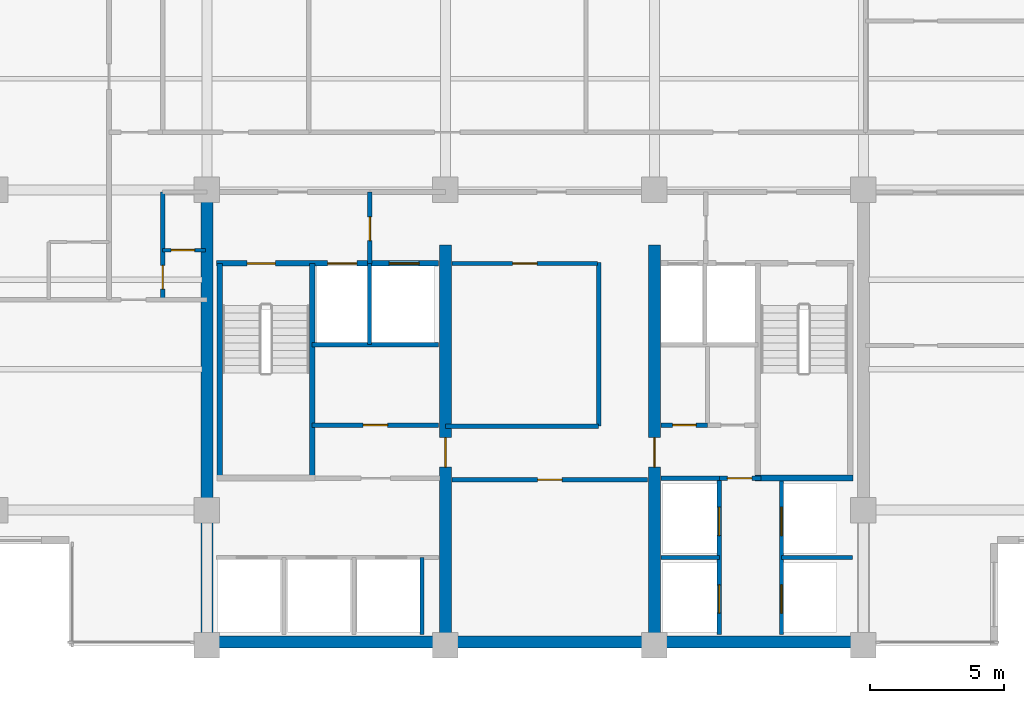
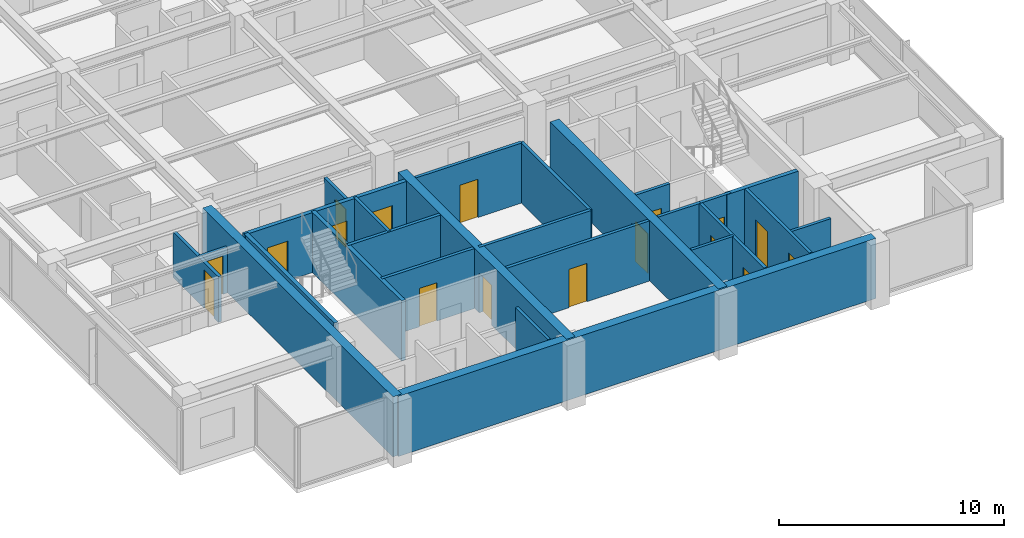
# One storey, part 7 of 15: 26 walls, 17 doors, 17 openings.
"""IFC4 building model written with IfcOpenShell, lengths in metres."""

from ifc_helpers import new_model, si_unit, direction, frame, frame_2d, origin, place, context, subcontext, project, spatial, rectangle, extrude, material, layer, layer_set, type_object, element, fill, save


model = new_model("IFC4")

# Units and contexts
model_context = context("Model", 3, precision=1e-05, world=origin(), true_north=direction((0.0, 1.0)))
body_context = subcontext(model_context, "Body", "Model", "MODEL_VIEW")
ifc_project = project(units=[si_unit("LENGTHUNIT", "METRE"), si_unit("AREAUNIT", "SQUARE_METRE"), si_unit("VOLUMEUNIT", "CUBIC_METRE"), si_unit("PLANEANGLEUNIT", "RADIAN"), si_unit("MASSUNIT", "GRAM", prefix="KILO")], contexts=[model_context])

# Site, building, storey
site_placement = place(None, origin())
site = spatial("IfcSite", under=ifc_project, at=site_placement, CompositionType="ELEMENT")
building_placement = place(site_placement, origin())
building = spatial("IfcBuilding", under=site, at=building_placement, Name="Qalmaran Belvedere Hotel", CompositionType="ELEMENT")
storey_placement = place(building_placement, frame((0.0, 0.0, 231.89990234375)))
storey = spatial("IfcBuildingStorey", under=building, at=storey_placement, Name="L59", CompositionType="ELEMENT", Elevation=231.89990234375)

# Wall
ifc_material_1 = material(Name="Concrete C50/60", Category="concrete")
ifc_layer_1 = layer(ifc_material_1, 0.449951171875, Name="Concrete C50/60")
ifc_layer_set_1 = layer_set([ifc_layer_1], Name="Concrete C50/60")
wall_type_1 = type_object("IfcWallType", Name="WL-CORE-450-C50", PredefinedType="SHEAR", material=ifc_layer_set_1)
wall_1_placement = place(storey_placement, frame((20.300048828125, 3.5, 0.0), z_axis=(0.0, 0.0, 1.0), x_axis=(0.0, 1.0, 0.0)))
element("IfcWall", 1, at=wall_1_placement, inside=storey, type_object=wall_type_1, Name="L59 West Core Shear Wall", PredefinedType="SHEAR", context=body_context, shape_type="SweptSolid", body=[
    extrude(rectangle(XDim=16.89990234375, YDim=0.449951171875, at=frame_2d((8.449951171875, 0.0))), origin(), (0.0, 0.0, 1.0), 3.260009765625),
])

# Wall, opening, door
wall_2_placement = place(storey_placement, frame((29.199951171875, 3.5, 0.0), z_axis=(0.0, 0.0, 1.0), x_axis=(0.0, 1.0, 0.0)))
wall_2 = element("IfcWall", 2, at=wall_2_placement, inside=storey, type_object=wall_type_1, Name="L59 Core West Spine Shear Wall", PredefinedType="SHEAR", context=body_context, shape_type="SweptSolid", body=[
    extrude(rectangle(XDim=14.949951171875, YDim=0.449951171875, at=frame_2d((7.47509765625, 0.0))), origin(), (0.0, 0.0, 1.0), 3.260009765625),
])
opening_1_placement = place(wall_2_placement, frame((7.75, 0.0, 0.0), z_axis=(0.0, 0.0, 1.0), x_axis=(-1.0, 0.0, 0.0)))
opening_1 = element("IfcOpeningElement", 3, at=opening_1_placement, cuts=wall_2, Name="Opening FD90", PredefinedType="OPENING", context=body_context, shape_type="SweptSolid", body=[
    extrude(rectangle(XDim=1.10009765625, YDim=2.14990234375, at=frame_2d((0.550048828125, 1.074951171875))), frame((0.0, 0.23486328125, 0.0), z_axis=(0.0, -1.0, 0.0), x_axis=(1.0, 0.0, 0.0)), (0.0, 0.0, 1.0), 0.469970703125),
])
ifc_material_2 = material(Name="Steel S355JR", Category="steel")
door_type_1 = type_object("IfcDoorType", Name="DR-FD90-1100X2150", OperationType="NOTDEFINED", PredefinedType="DOOR", material=ifc_material_2)
door_1_placement = place(opening_1_placement, origin())
door_1 = element("IfcDoor", 4, at=door_1_placement, inside=storey, type_object=door_type_1, Name="L59 Core West Cross-Lobby Door", OperationType="SINGLE_SWING_RIGHT", OverallHeight=2.14990234375, OverallWidth=1.10009765625, PredefinedType="DOOR", context=body_context, shape_type="SweptSolid", body=[
    extrude(rectangle(XDim=1.10009765625, YDim=2.14990234375, at=frame_2d((0.550048828125, 1.074951171875))), frame((0.0, 0.02490234375, 0.0), z_axis=(0.0, -1.0, 0.0), x_axis=(1.0, 0.0, 0.0)), (0.0, 0.0, 1.0), 0.050048828125),
])
fill(opening_1, door_1)

wall_3_placement = place(storey_placement, frame((37.0, 3.5, 0.0), z_axis=(0.0, 0.0, 1.0), x_axis=(0.0, 1.0, 0.0)))
wall_3 = element("IfcWall", 5, at=wall_3_placement, inside=storey, type_object=wall_type_1, Name="L59 Core East Spine Shear Wall", PredefinedType="SHEAR", context=body_context, shape_type="SweptSolid", body=[
    extrude(rectangle(XDim=14.949951171875, YDim=0.449951171875, at=frame_2d((7.47509765625, 0.0))), origin(), (0.0, 0.0, 1.0), 3.260009765625),
])
opening_2_placement = place(wall_3_placement, frame((6.64990234375, 0.0, 0.0)))
opening_2 = element("IfcOpeningElement", 6, at=opening_2_placement, cuts=wall_3, Name="Opening FD90", PredefinedType="OPENING", context=body_context, shape_type="SweptSolid", body=[
    extrude(rectangle(XDim=1.10009765625, YDim=2.14990234375, at=frame_2d((0.550048828125, 1.074951171875))), frame((0.0, 0.23486328125, 0.0), z_axis=(0.0, -1.0, 0.0), x_axis=(1.0, 0.0, 0.0)), (0.0, 0.0, 1.0), 0.469970703125),
])
door_2_placement = place(opening_2_placement, origin())
door_2 = element("IfcDoor", 7, at=door_2_placement, inside=storey, type_object=door_type_1, Name="L59 Core East Cross-Lobby Door", OperationType="SINGLE_SWING_LEFT", OverallHeight=2.14990234375, OverallWidth=1.10009765625, PredefinedType="DOOR", context=body_context, shape_type="SweptSolid", body=[
    extrude(rectangle(XDim=1.10009765625, YDim=2.14990234375, at=frame_2d((0.550048828125, 1.074951171875))), frame((0.0, 0.02490234375, 0.0), z_axis=(0.0, -1.0, 0.0), x_axis=(1.0, 0.0, 0.0)), (0.0, 0.0, 1.0), 0.050048828125),
])
fill(opening_2, door_2)

# Wall
ifc_layer_2 = layer(ifc_material_1, 0.43994140625, Name="Concrete C50/60")
ifc_layer_set_2 = layer_set([ifc_layer_2], Name="Concrete C50/60")
wall_type_2 = type_object("IfcWallType", Name="WL-CORES-440-EXT", PredefinedType="SHEAR", material=ifc_layer_set_2)
wall_4_placement = place(storey_placement, frame((20.300048828125, 3.6298828125, 0.0), z_axis=(0.0, 0.0, 1.0), x_axis=(1.0, 0.0, 0.0)))
element("IfcWall", 8, at=wall_4_placement, inside=storey, type_object=wall_type_2, Name="L59 South Core Shear Wall", PredefinedType="SHEAR", context=body_context, shape_type="SweptSolid", body=[
    extrude(rectangle(XDim=24.5, YDim=0.43994140625, at=frame_2d((12.25, 0.0))), origin(), (0.0, 0.0, 1.0), 3.260009765625),
])

# Wall, opening, door
ifc_material_3 = material(Name="Gypsum Stud Partition")
ifc_layer_3 = layer(ifc_material_3, 0.139892578125, Name="Gypsum Stud Partition")
ifc_layer_set_3 = layer_set([ifc_layer_3], Name="Gypsum Stud Partition")
wall_type_3 = type_object("IfcWallType", Name="WL-INT-140-NR", PredefinedType="PARTITIONING", material=ifc_layer_set_3)
wall_5_placement = place(storey_placement, frame((18.64990234375, 18.25, 0.0), z_axis=(0.0, 0.0, 1.0), x_axis=(1.0, 0.0, 0.0)))
wall_5 = element("IfcWall", 9, at=wall_5_placement, inside=storey, type_object=wall_type_3, Name="L59 Partition WL-L59-WCLSUB", PredefinedType="PARTITIONING", context=body_context, shape_type="SweptSolid", body=[
    extrude(rectangle(XDim=1.60009765625, YDim=0.139892578125, at=frame_2d((0.800048828125, 0.0))), origin(), (0.0, 0.0, 1.0), 2.47216796875),
])
opening_3_placement = place(wall_5_placement, frame((1.193115234375, 0.0, 0.0), z_axis=(0.0, 0.0, 1.0), x_axis=(-1.0, 0.0, 0.0)))
opening_3 = element("IfcOpeningElement", 10, at=opening_3_placement, cuts=wall_5, Name="Opening D-BATH", PredefinedType="OPENING", context=body_context, shape_type="SweptSolid", body=[
    extrude(rectangle(XDim=0.8798828125, YDim=2.080078125, at=frame_2d((0.43994140625, 1.0400390625))), frame((0.0, 0.080078125, 0.0), z_axis=(0.0, -1.0, 0.0), x_axis=(1.0, 0.0, 0.0)), (0.0, 0.0, 1.0), 0.159912109375),
])
ifc_material_4 = material(Name="Engineered Oak Veneer")
door_type_2 = type_object("IfcDoorType", Name="DR-INT-BATH-880X2080", OperationType="NOTDEFINED", PredefinedType="DOOR", material=ifc_material_4)
door_3_placement = place(opening_3_placement, origin())
door_3 = element("IfcDoor", 11, at=door_3_placement, inside=storey, type_object=door_type_2, Name="L59 Closet Alcove Door", OperationType="SINGLE_SWING_RIGHT", OverallHeight=2.080078125, OverallWidth=0.8798828125, PredefinedType="DOOR", context=body_context, shape_type="SweptSolid", body=[
    extrude(rectangle(XDim=0.8798828125, YDim=2.080078125, at=frame_2d((0.43994140625, 1.0400390625))), frame((0.0, 0.02490234375, 0.0), z_axis=(0.0, -1.0, 0.0), x_axis=(1.0, 0.0, 0.0)), (0.0, 0.0, 1.0), 0.050048828125),
])
fill(opening_3, door_3)

# Walls
ifc_layer_4 = layer(ifc_material_3, 0.14990234375, Name="Gypsum Stud Partition")
ifc_layer_set_4 = layer_set([ifc_layer_4], Name="Gypsum Stud Partition")
wall_type_4 = type_object("IfcWallType", Name="WL-INT-150-EI120", PredefinedType="PARTITIONING", material=ifc_layer_set_4)
wall_6_placement = place(storey_placement, frame((26.360107421875, 14.719970703125, 0.0), z_axis=(0.0, 0.0, 1.0), x_axis=(0.0, 1.0, 0.0)))
element("IfcWall", 12, at=wall_6_placement, inside=storey, type_object=wall_type_4, Name="L59 Partition WL-FF1M-L59", PredefinedType="PARTITIONING", context=body_context, shape_type="SweptSolid", body=[
    extrude(rectangle(XDim=3.0400390625, YDim=0.14990234375, at=frame_2d((1.52001953125, 0.0))), origin(), (0.0, 0.0, 1.0), 3.260009765625),
])
wall_7_placement = place(storey_placement, frame((28.320068359375, 3.89990234375, 0.0), z_axis=(0.0, 0.0, 1.0), x_axis=(0.0, 1.0, 0.0)))
element("IfcWall", 13, at=wall_7_placement, inside=storey, type_object=wall_type_4, Name="L59 Partition WL-POM3-L59", PredefinedType="PARTITIONING", context=body_context, shape_type="SweptSolid", body=[
    extrude(rectangle(XDim=2.880126953125, YDim=0.14990234375, at=frame_2d((1.43994140625, 0.0))), origin(), (0.0, 0.0, 1.0), 3.260009765625),
])
wall_8_placement = place(storey_placement, frame((37.25, 6.780029296875, 0.0), z_axis=(0.0, 0.0, 1.0), x_axis=(1.0, 0.0, 0.0)))
element("IfcWall", 14, at=wall_8_placement, inside=storey, type_object=wall_type_4, Name="L59 Partition WL-PHMW-L59", PredefinedType="PARTITIONING", context=body_context, shape_type="SweptSolid", body=[
    extrude(rectangle(XDim=2.169921875, YDim=0.14990234375, at=frame_2d((1.0849609375, 0.0))), origin(), (0.0, 0.0, 1.0), 3.260009765625),
])
wall_9_placement = place(storey_placement, frame((41.739990234375, 6.780029296875, 0.0), z_axis=(0.0, 0.0, 1.0), x_axis=(1.0, 0.0, 0.0)))
element("IfcWall", 15, at=wall_9_placement, inside=storey, type_object=wall_type_4, Name="L59 Partition WL-PHME-L59", PredefinedType="PARTITIONING", context=body_context, shape_type="SweptSolid", body=[
    extrude(rectangle(XDim=2.659912109375, YDim=0.14990234375, at=frame_2d((1.330078125, 0.0))), origin(), (0.0, 0.0, 1.0), 2.47216796875),
])

# Wall, opening, door
ifc_layer_5 = layer(ifc_material_3, 0.159912109375, Name="Gypsum Stud Partition")
ifc_layer_set_5 = layer_set([ifc_layer_5], Name="Gypsum Stud Partition")
wall_type_5 = type_object("IfcWallType", Name="WL-INT-160-EI120", PredefinedType="PARTITIONING", material=ifc_layer_set_5)
wall_10_placement = place(storey_placement, frame((26.3798828125, 17.760009765625, 0.0), z_axis=(0.0, 0.0, 1.0), x_axis=(0.0, 1.0, 0.0)))
wall_10 = element("IfcWall", 16, at=wall_10_placement, inside=storey, type_object=wall_type_5, Name="L59 Partition WL-FFSV1-L59", PredefinedType="PARTITIONING", context=body_context, shape_type="SweptSolid", body=[
    extrude(rectangle(XDim=2.659912109375, YDim=0.159912109375, at=frame_2d((1.330078125, 0.0))), origin(), (0.0, 0.0, 1.0), 2.7060546875),
])
opening_4_placement = place(wall_10_placement, frame((0.85009765625, 0.0, 0.0)))
opening_4 = element("IfcOpeningElement", 17, at=opening_4_placement, cuts=wall_10, Name="Opening FD60B", PredefinedType="OPENING", context=body_context, shape_type="SweptSolid", body=[
    extrude(rectangle(XDim=0.8798828125, YDim=2.080078125, at=frame_2d((0.43994140625, 1.0400390625))), frame((0.0, 0.08984375, 0.0), z_axis=(0.0, -1.0, 0.0), x_axis=(1.0, 0.0, 0.0)), (0.0, 0.0, 1.0), 0.179931640625),
])
door_type_3 = type_object("IfcDoorType", Name="DR-FD60B-880X2080", OperationType="NOTDEFINED", PredefinedType="DOOR", material=ifc_material_2)
door_4_placement = place(opening_4_placement, origin())
door_4 = element("IfcDoor", 18, at=door_4_placement, inside=storey, type_object=door_type_3, Name="L59 Service Lobby West Door", OperationType="SINGLE_SWING_RIGHT", OverallHeight=2.080078125, OverallWidth=0.8798828125, PredefinedType="DOOR", context=body_context, shape_type="SweptSolid", body=[
    extrude(rectangle(XDim=0.8798828125, YDim=2.080078125, at=frame_2d((0.43994140625, 1.0400390625))), frame((0.0, 0.02490234375, 0.0), z_axis=(0.0, -1.0, 0.0), x_axis=(1.0, 0.0, 0.0)), (0.0, 0.0, 1.0), 0.050048828125),
])
fill(opening_4, door_4)

# Wall
wall_11_placement = place(storey_placement, frame((24.219970703125, 14.719970703125, 0.0), z_axis=(0.0, 0.0, 1.0), x_axis=(1.0, 0.0, 0.0)))
element("IfcWall", 19, at=wall_11_placement, inside=storey, type_object=wall_type_5, Name="L59 Partition WL-FF1S-L59", PredefinedType="PARTITIONING", context=body_context, shape_type="SweptSolid", body=[
    extrude(rectangle(XDim=4.72998046875, YDim=0.159912109375, at=frame_2d((2.364990234375, 0.0))), origin(), (0.0, 0.0, 1.0), 3.260009765625),
])

# Wall, openings, doors
wall_12_placement = place(storey_placement, frame((39.419921875, 3.89990234375, 0.0), z_axis=(0.0, 0.0, 1.0), x_axis=(0.0, 1.0, 0.0)))
wall_12 = element("IfcWall", 20, at=wall_12_placement, inside=storey, type_object=wall_type_5, Name="L59 Partition WL-PHW-L59", PredefinedType="PARTITIONING", context=body_context, shape_type="SweptSolid", body=[
    extrude(rectangle(XDim=5.840087890625, YDim=0.159912109375, at=frame_2d((2.919921875, 0.0))), origin(), (0.0, 0.0, 1.0), 3.260009765625),
])
opening_5_placement = place(wall_12_placement, frame((1.860107421875, 0.0, 0.0), z_axis=(0.0, 0.0, 1.0), x_axis=(-1.0, 0.0, 0.0)))
opening_5 = element("IfcOpeningElement", 21, at=opening_5_placement, cuts=wall_12, Name="Opening LD-P2", PredefinedType="OPENING", context=body_context, shape_type="SweptSolid", body=[
    extrude(rectangle(XDim=1.06005859375, YDim=2.159912109375, at=frame_2d((0.530029296875, 1.080078125))), frame((0.0, 0.08984375, 0.0), z_axis=(0.0, -1.0, 0.0), x_axis=(1.0, 0.0, 0.0)), (0.0, 0.0, 1.0), 0.179931640625),
])
opening_6_placement = place(wall_12_placement, frame((4.760009765625, 0.0, 0.0), z_axis=(0.0, 0.0, 1.0), x_axis=(-1.0, 0.0, 0.0)))
opening_6 = element("IfcOpeningElement", 22, at=opening_6_placement, cuts=wall_12, Name="Opening LD-P2", PredefinedType="OPENING", context=body_context, shape_type="SweptSolid", body=[
    extrude(rectangle(XDim=1.06005859375, YDim=2.159912109375, at=frame_2d((0.530029296875, 1.080078125))), frame((0.0, 0.08984375, 0.0), z_axis=(0.0, -1.0, 0.0), x_axis=(1.0, 0.0, 0.0)), (0.0, 0.0, 1.0), 0.179931640625),
])
ifc_material_5 = material(Name="Stainless Steel 1.4401", Category="steel")
door_type_4 = type_object("IfcDoorType", Name="DR-LIFT-P2-1060X2160", OperationType="DOUBLE_DOOR_SLIDING", PredefinedType="DOOR", material=ifc_material_5)
door_5_placement = place(opening_5_placement, origin())
door_5 = element("IfcDoor", 23, at=door_5_placement, inside=storey, type_object=door_type_4, Name="L59 PH1 Lift Landing Door", OperationType="DOUBLE_DOOR_SLIDING", OverallHeight=2.159912109375, OverallWidth=1.06005859375, PredefinedType="DOOR", context=body_context, shape_type="SweptSolid", body=[
    extrude(rectangle(XDim=1.06005859375, YDim=2.159912109375, at=frame_2d((0.530029296875, 1.080078125))), frame((0.0, 0.02490234375, 0.0), z_axis=(0.0, -1.0, 0.0), x_axis=(1.0, 0.0, 0.0)), (0.0, 0.0, 1.0), 0.050048828125),
])
fill(opening_5, door_5)
door_6_placement = place(opening_6_placement, origin())
door_6 = element("IfcDoor", 24, at=door_6_placement, inside=storey, type_object=door_type_4, Name="L59 PH2 Lift Landing Door", OperationType="DOUBLE_DOOR_SLIDING", OverallHeight=2.159912109375, OverallWidth=1.06005859375, PredefinedType="DOOR", context=body_context, shape_type="SweptSolid", body=[
    extrude(rectangle(XDim=1.06005859375, YDim=2.159912109375, at=frame_2d((0.530029296875, 1.080078125))), frame((0.0, 0.02490234375, 0.0), z_axis=(0.0, -1.0, 0.0), x_axis=(1.0, 0.0, 0.0)), (0.0, 0.0, 1.0), 0.050048828125),
])
fill(opening_6, door_6)

wall_13_placement = place(storey_placement, frame((41.739990234375, 3.89990234375, 0.0), z_axis=(0.0, 0.0, 1.0), x_axis=(0.0, 1.0, 0.0)))
wall_13 = element("IfcWall", 25, at=wall_13_placement, inside=storey, type_object=wall_type_5, Name="L59 Partition WL-PHE-L59", PredefinedType="PARTITIONING", context=body_context, shape_type="SweptSolid", body=[
    extrude(rectangle(XDim=5.840087890625, YDim=0.159912109375, at=frame_2d((2.919921875, 0.0))), origin(), (0.0, 0.0, 1.0), 3.260009765625),
])
opening_7_placement = place(wall_13_placement, frame((0.800048828125, 0.0, 0.0)))
opening_7 = element("IfcOpeningElement", 26, at=opening_7_placement, cuts=wall_13, Name="Opening LD-P2", PredefinedType="OPENING", context=body_context, shape_type="SweptSolid", body=[
    extrude(rectangle(XDim=1.06005859375, YDim=2.159912109375, at=frame_2d((0.530029296875, 1.080078125))), frame((0.0, 0.08984375, 0.0), z_axis=(0.0, -1.0, 0.0), x_axis=(1.0, 0.0, 0.0)), (0.0, 0.0, 1.0), 0.179931640625),
])
opening_8_placement = place(wall_13_placement, frame((3.699951171875, 0.0, 0.0)))
opening_8 = element("IfcOpeningElement", 27, at=opening_8_placement, cuts=wall_13, Name="Opening LD-P2", PredefinedType="OPENING", context=body_context, shape_type="SweptSolid", body=[
    extrude(rectangle(XDim=1.06005859375, YDim=2.159912109375, at=frame_2d((0.530029296875, 1.080078125))), frame((0.0, 0.08984375, 0.0), z_axis=(0.0, -1.0, 0.0), x_axis=(1.0, 0.0, 0.0)), (0.0, 0.0, 1.0), 0.179931640625),
])
door_7_placement = place(opening_7_placement, origin())
door_7 = element("IfcDoor", 28, at=door_7_placement, inside=storey, type_object=door_type_4, Name="L59 PH3 Lift Landing Door", OperationType="DOUBLE_DOOR_SLIDING", OverallHeight=2.159912109375, OverallWidth=1.06005859375, PredefinedType="DOOR", context=body_context, shape_type="SweptSolid", body=[
    extrude(rectangle(XDim=1.06005859375, YDim=2.159912109375, at=frame_2d((0.530029296875, 1.080078125))), frame((0.0, 0.02490234375, 0.0), z_axis=(0.0, -1.0, 0.0), x_axis=(1.0, 0.0, 0.0)), (0.0, 0.0, 1.0), 0.050048828125),
])
fill(opening_7, door_7)
door_8_placement = place(opening_8_placement, origin())
door_8 = element("IfcDoor", 29, at=door_8_placement, inside=storey, type_object=door_type_4, Name="L59 PH4 Lift Landing Door", OperationType="DOUBLE_DOOR_SLIDING", OverallHeight=2.159912109375, OverallWidth=1.06005859375, PredefinedType="DOOR", context=body_context, shape_type="SweptSolid", body=[
    extrude(rectangle(XDim=1.06005859375, YDim=2.159912109375, at=frame_2d((0.530029296875, 1.080078125))), frame((0.0, 0.02490234375, 0.0), z_axis=(0.0, -1.0, 0.0), x_axis=(1.0, 0.0, 0.0)), (0.0, 0.0, 1.0), 0.050048828125),
])
fill(opening_8, door_8)

# Wall
wall_14_placement = place(storey_placement, frame((37.25, 9.739990234375, 0.0), z_axis=(0.0, 0.0, 1.0), x_axis=(1.0, 0.0, 0.0)))
element("IfcWall", 30, at=wall_14_placement, inside=storey, type_object=wall_type_5, Name="L59 Partition WL-PHNW-L59", PredefinedType="PARTITIONING", context=body_context, shape_type="SweptSolid", body=[
    extrude(rectangle(XDim=2.169921875, YDim=0.159912109375, at=frame_2d((1.0849609375, 0.0))), origin(), (0.0, 0.0, 1.0), 3.260009765625),
])

# Wall, opening, door
wall_15_placement = place(storey_placement, frame((39.419921875, 9.739990234375, 0.0), z_axis=(0.0, 0.0, 1.0), x_axis=(1.0, 0.0, 0.0)))
wall_15 = element("IfcWall", 31, at=wall_15_placement, inside=storey, type_object=wall_type_5, Name="L59 Partition WL-PHNL-L59", PredefinedType="PARTITIONING", context=body_context, shape_type="SweptSolid", body=[
    extrude(rectangle(XDim=1.56005859375, YDim=0.159912109375, at=frame_2d((0.780029296875, 0.0))), origin(), (0.0, 0.0, 1.0), 3.260009765625),
])
opening_9_placement = place(wall_15_placement, frame((0.300048828125, 0.0, 0.0)))
opening_9 = element("IfcOpeningElement", 32, at=opening_9_placement, cuts=wall_15, Name="Opening FD60S1", PredefinedType="OPENING", context=body_context, shape_type="SweptSolid", body=[
    extrude(rectangle(XDim=0.919921875, YDim=2.080078125, at=frame_2d((0.4599609375, 1.0400390625))), frame((0.0, 0.08984375, 0.0), z_axis=(0.0, -1.0, 0.0), x_axis=(1.0, 0.0, 0.0)), (0.0, 0.0, 1.0), 0.179931640625),
])
door_type_5 = type_object("IfcDoorType", Name="DR-FD60S-920X2080", OperationType="NOTDEFINED", PredefinedType="DOOR", material=ifc_material_4)
door_9_placement = place(opening_9_placement, origin())
door_9 = element("IfcDoor", 33, at=door_9_placement, inside=storey, type_object=door_type_5, Name="L59 High-Rise Lift Lobby Passage Door", OperationType="SINGLE_SWING_LEFT", OverallHeight=2.080078125, OverallWidth=0.919921875, PredefinedType="DOOR", context=body_context, shape_type="SweptSolid", body=[
    extrude(rectangle(XDim=0.919921875, YDim=2.080078125, at=frame_2d((0.4599609375, 1.0400390625))), frame((0.0, 0.02490234375, 0.0), z_axis=(0.0, -1.0, 0.0), x_axis=(1.0, 0.0, 0.0)), (0.0, 0.0, 1.0), 0.050048828125),
])
fill(opening_9, door_9)

ifc_layer_6 = layer(ifc_material_3, 0.159912109375, Name="Gypsum Stud Partition")
ifc_layer_set_6 = layer_set([ifc_layer_6], Name="Gypsum Stud Partition")
wall_type_6 = type_object("IfcWallType", Name="WL-INT-160-EI60", PredefinedType="PARTITIONING", material=ifc_layer_set_6)
wall_16_placement = place(storey_placement, frame((24.219970703125, 11.719970703125, 0.0), z_axis=(0.0, 0.0, 1.0), x_axis=(1.0, 0.0, 0.0)))
wall_16 = element("IfcWall", 34, at=wall_16_placement, inside=storey, type_object=wall_type_6, Name="L59 Partition WL-L59-KWE1", PredefinedType="PARTITIONING", context=body_context, shape_type="SweptSolid", body=[
    extrude(rectangle(XDim=4.72998046875, YDim=0.159912109375, at=frame_2d((2.364990234375, 0.0))), origin(), (0.0, 0.0, 1.0), 3.260009765625),
])
opening_10_placement = place(wall_16_placement, frame((1.905029296875, 0.0, 0.0)))
opening_10 = element("IfcOpeningElement", 35, at=opening_10_placement, cuts=wall_16, Name="Opening FD60S1", PredefinedType="OPENING", context=body_context, shape_type="SweptSolid", body=[
    extrude(rectangle(XDim=0.919921875, YDim=2.080078125, at=frame_2d((0.4599609375, 1.0400390625))), frame((0.0, 0.08984375, 0.0), z_axis=(0.0, -1.0, 0.0), x_axis=(1.0, 0.0, 0.0)), (0.0, 0.0, 1.0), 0.179931640625),
])
door_10_placement = place(opening_10_placement, origin())
door_10 = element("IfcDoor", 36, at=door_10_placement, inside=storey, type_object=door_type_5, Name="L59 Electrical Distribution Room Door", OperationType="SINGLE_SWING_LEFT", OverallHeight=2.080078125, OverallWidth=0.919921875, PredefinedType="DOOR", context=body_context, shape_type="SweptSolid", body=[
    extrude(rectangle(XDim=0.919921875, YDim=2.080078125, at=frame_2d((0.4599609375, 1.0400390625))), frame((0.0, 0.02490234375, 0.0), z_axis=(0.0, -1.0, 0.0), x_axis=(1.0, 0.0, 0.0)), (0.0, 0.0, 1.0), 0.050048828125),
])
fill(opening_10, door_10)

wall_17_placement = place(storey_placement, frame((37.25, 11.719970703125, 0.0), z_axis=(0.0, 0.0, 1.0), x_axis=(1.0, 0.0, 0.0)))
wall_17 = element("IfcWall", 37, at=wall_17_placement, inside=storey, type_object=wall_type_6, Name="L59 Partition WL-L59-KEE1", PredefinedType="PARTITIONING", context=body_context, shape_type="SweptSolid", body=[
    extrude(rectangle(XDim=1.73291015625, YDim=0.159912109375, at=frame_2d((0.866455078125, 0.0))), origin(), (0.0, 0.0, 1.0), 3.260009765625),
])
opening_11_placement = place(wall_17_placement, frame((0.426513671875, 0.0, 0.0)))
opening_11 = element("IfcOpeningElement", 38, at=opening_11_placement, cuts=wall_17, Name="Opening FD60B", PredefinedType="OPENING", context=body_context, shape_type="SweptSolid", body=[
    extrude(rectangle(XDim=0.8798828125, YDim=2.080078125, at=frame_2d((0.43994140625, 1.0400390625))), frame((0.0, 0.08984375, 0.0), z_axis=(0.0, -1.0, 0.0), x_axis=(1.0, 0.0, 0.0)), (0.0, 0.0, 1.0), 0.179931640625),
])
door_11_placement = place(opening_11_placement, origin())
door_11 = element("IfcDoor", 39, at=door_11_placement, inside=storey, type_object=door_type_3, Name="L59 Cleaner Equipment Store Door", OperationType="SINGLE_SWING_RIGHT", OverallHeight=2.080078125, OverallWidth=0.8798828125, PredefinedType="DOOR", context=body_context, shape_type="SweptSolid", body=[
    extrude(rectangle(XDim=0.8798828125, YDim=2.080078125, at=frame_2d((0.43994140625, 1.0400390625))), frame((0.0, 0.02490234375, 0.0), z_axis=(0.0, -1.0, 0.0), x_axis=(1.0, 0.0, 0.0)), (0.0, 0.0, 1.0), 0.050048828125),
])
fill(opening_11, door_11)

# Wall
wall_18_placement = place(storey_placement, frame((34.919921875, 11.679931640625, 0.0), z_axis=(0.0, 0.0, 1.0), x_axis=(0.0, 1.0, 0.0)))
element("IfcWall", 40, at=wall_18_placement, inside=storey, type_object=wall_type_6, Name="L59 Partition WL-CLLV-L59", PredefinedType="PARTITIONING", context=body_context, shape_type="SweptSolid", body=[
    extrude(rectangle(XDim=6.10009765625, YDim=0.159912109375, at=frame_2d((3.050048828125, 0.0))), origin(), (0.0, 0.0, 1.0), 3.260009765625),
])

# Wall, opening, door
wall_19_placement = place(storey_placement, frame((29.449951171875, 9.679931640625, 0.0), z_axis=(0.0, 0.0, 1.0), x_axis=(1.0, 0.0, 0.0)))
wall_19 = element("IfcWall", 41, at=wall_19_placement, inside=storey, type_object=wall_type_6, Name="L59 Partition WL-L59-KPLE1", PredefinedType="PARTITIONING", context=body_context, shape_type="SweptSolid", body=[
    extrude(rectangle(XDim=7.300048828125, YDim=0.159912109375, at=frame_2d((3.64990234375, 0.0))), origin(), (0.0, 0.0, 1.0), 3.260009765625),
])
opening_12_placement = place(wall_19_placement, frame((4.10986328125, 0.0, 0.0), z_axis=(0.0, 0.0, 1.0), x_axis=(-1.0, 0.0, 0.0)))
opening_12 = element("IfcOpeningElement", 42, at=opening_12_placement, cuts=wall_19, Name="Opening FD60S1", PredefinedType="OPENING", context=body_context, shape_type="SweptSolid", body=[
    extrude(rectangle(XDim=0.919921875, YDim=2.080078125, at=frame_2d((0.4599609375, 1.0400390625))), frame((0.0, 0.08984375, 0.0), z_axis=(0.0, -1.0, 0.0), x_axis=(1.0, 0.0, 0.0)), (0.0, 0.0, 1.0), 0.179931640625),
])
door_12_placement = place(opening_12_placement, origin())
door_12 = element("IfcDoor", 43, at=door_12_placement, inside=storey, type_object=door_type_5, Name="L59 Housekeeping and Linen Room Door", OperationType="SINGLE_SWING_RIGHT", OverallHeight=2.080078125, OverallWidth=0.919921875, PredefinedType="DOOR", context=body_context, shape_type="SweptSolid", body=[
    extrude(rectangle(XDim=0.919921875, YDim=2.080078125, at=frame_2d((0.4599609375, 1.0400390625))), frame((0.0, 0.02490234375, 0.0), z_axis=(0.0, -1.0, 0.0), x_axis=(1.0, 0.0, 0.0)), (0.0, 0.0, 1.0), 0.050048828125),
])
fill(opening_12, door_12)

# Wall
wall_20_placement = place(storey_placement, frame((29.199951171875, 11.679931640625, 0.0), z_axis=(0.0, 0.0, 1.0), x_axis=(1.0, 0.0, 0.0)))
element("IfcWall", 44, at=wall_20_placement, inside=storey, type_object=wall_type_6, Name="L59 Partition WL-PMFS-L59", PredefinedType="PARTITIONING", context=body_context, shape_type="SweptSolid", body=[
    extrude(rectangle(XDim=5.719970703125, YDim=0.159912109375, at=frame_2d((2.85986328125, 0.0))), origin(), (0.0, 0.0, 1.0), 3.260009765625),
])

# Wall, opening, door
wall_21_placement = place(storey_placement, frame((29.449951171875, 17.75, 0.0), z_axis=(0.0, 0.0, 1.0), x_axis=(1.0, 0.0, 0.0)))
wall_21 = element("IfcWall", 45, at=wall_21_placement, inside=storey, type_object=wall_type_6, Name="L59 Partition WL-L59-KPME1", PredefinedType="PARTITIONING", context=body_context, shape_type="SweptSolid", body=[
    extrude(rectangle(XDim=5.429931640625, YDim=0.159912109375, at=frame_2d((2.71484375, 0.0))), origin(), (0.0, 0.0, 1.0), 3.260009765625),
])
opening_13_placement = place(wall_21_placement, frame((3.1748046875, 0.0, 0.0), z_axis=(0.0, 0.0, 1.0), x_axis=(-1.0, 0.0, 0.0)))
opening_13 = element("IfcOpeningElement", 46, at=opening_13_placement, cuts=wall_21, Name="Opening FD60S1", PredefinedType="OPENING", context=body_context, shape_type="SweptSolid", body=[
    extrude(rectangle(XDim=0.919921875, YDim=2.080078125, at=frame_2d((0.4599609375, 1.0400390625))), frame((0.0, 0.08984375, 0.0), z_axis=(0.0, -1.0, 0.0), x_axis=(1.0, 0.0, 0.0)), (0.0, 0.0, 1.0), 0.179931640625),
])
door_13_placement = place(opening_13_placement, origin())
door_13 = element("IfcDoor", 47, at=door_13_placement, inside=storey, type_object=door_type_5, Name="L59 Executive Butler Pantry Door", OperationType="SINGLE_SWING_LEFT", OverallHeight=2.080078125, OverallWidth=0.919921875, PredefinedType="DOOR", context=body_context, shape_type="SweptSolid", body=[
    extrude(rectangle(XDim=0.919921875, YDim=2.080078125, at=frame_2d((0.4599609375, 1.0400390625))), frame((0.0, 0.02490234375, 0.0), z_axis=(0.0, -1.0, 0.0), x_axis=(1.0, 0.0, 0.0)), (0.0, 0.0, 1.0), 0.050048828125),
])
fill(opening_13, door_13)

wall_22_placement = place(storey_placement, frame((18.64990234375, 16.39990234375, 0.0), z_axis=(0.0, 0.0, 1.0), x_axis=(0.0, 1.0, 0.0)))
wall_22 = element("IfcWall", 48, at=wall_22_placement, inside=storey, type_object=wall_type_6, Name="L59 Partition WL-L59-WCL", PredefinedType="PARTITIONING", context=body_context, shape_type="SweptSolid", body=[
    extrude(rectangle(XDim=4.02001953125, YDim=0.159912109375, at=frame_2d((2.010009765625, 0.0))), origin(), (0.0, 0.0, 1.0), 2.47216796875),
])
opening_14_placement = place(wall_22_placement, frame((1.27978515625, 0.0, 0.0), z_axis=(0.0, 0.0, 1.0), x_axis=(-1.0, 0.0, 0.0)))
opening_14 = element("IfcOpeningElement", 49, at=opening_14_placement, cuts=wall_22, Name="Opening FD60B", PredefinedType="OPENING", context=body_context, shape_type="SweptSolid", body=[
    extrude(rectangle(XDim=0.8798828125, YDim=2.080078125, at=frame_2d((0.43994140625, 1.0400390625))), frame((0.0, 0.08984375, 0.0), z_axis=(0.0, -1.0, 0.0), x_axis=(1.0, 0.0, 0.0)), (0.0, 0.0, 1.0), 0.179931640625),
])
door_14_placement = place(opening_14_placement, origin())
door_14 = element("IfcDoor", 50, at=door_14_placement, inside=storey, type_object=door_type_3, Name="L59 West Closet Door", OperationType="SINGLE_SWING_LEFT", OverallHeight=2.080078125, OverallWidth=0.8798828125, PredefinedType="DOOR", context=body_context, shape_type="SweptSolid", body=[
    extrude(rectangle(XDim=0.8798828125, YDim=2.080078125, at=frame_2d((0.43994140625, 1.0400390625))), frame((0.0, 0.02490234375, 0.0), z_axis=(0.0, -1.0, 0.0), x_axis=(1.0, 0.0, 0.0)), (0.0, 0.0, 1.0), 0.050048828125),
])
fill(opening_14, door_14)

# Walls
ifc_layer_7 = layer(ifc_material_1, 0.2099609375, Name="Concrete C50/60")
ifc_layer_set_7 = layer_set([ifc_layer_7], Name="Concrete C50/60")
wall_type_7 = type_object("IfcWallType", Name="WL-STAIR-210-C50", PredefinedType="SHEAR", material=ifc_layer_set_7)
for number, where, z_axis, x_axis, name in (
    (51, (20.77490234375, 9.7451171875, 0.0), (0.0, 0.0, 1.0), (0.0, 1.0, 0.0), "L59 Stair ST-1 West Bearing Wall"),
    (52, (24.22509765625, 9.7451171875, 0.0), (0.0, 0.0, 1.0), (0.0, 1.0, 0.0), "L59 Stair ST-1 East Bearing Wall"),
):
    element("IfcWall", number, at=place(storey_placement, frame(where, z_axis=z_axis, x_axis=x_axis)), inside=storey, type_object=wall_type_7, Name=name, PredefinedType="SHEAR", context=body_context, shape_type="SweptSolid", body=[
        extrude(rectangle(XDim=8.009765625, YDim=0.2099609375, at=frame_2d((4.0048828125, 0.0))), origin(), (0.0, 0.0, 1.0), 3.260009765625),
    ])

# Wall, openings, doors
wall_23_placement = place(storey_placement, frame((20.64990234375, 17.7548828125, 0.0), z_axis=(0.0, 0.0, 1.0), x_axis=(1.0, 0.0, 0.0)))
wall_23 = element("IfcWall", 53, at=wall_23_placement, inside=storey, type_object=wall_type_7, Name="L59 West Lobby and Stair ST-1 North Bearing Wall", PredefinedType="SHEAR", context=body_context, shape_type="SweptSolid", body=[
    extrude(rectangle(XDim=8.300048828125, YDim=0.2099609375, at=frame_2d((4.14990234375, 0.0))), origin(), (0.0, 0.0, 1.0), 3.260009765625),
])
opening_15_placement = place(wall_23_placement, frame((2.199951171875, 0.0, 0.0), z_axis=(0.0, 0.0, 1.0), x_axis=(-1.0, 0.0, 0.0)))
opening_15 = element("IfcOpeningElement", 54, at=opening_15_placement, cuts=wall_23, Name="Opening FD90S2", PredefinedType="OPENING", context=body_context, shape_type="SweptSolid", body=[
    extrude(rectangle(XDim=1.050048828125, YDim=2.14990234375, at=frame_2d((0.52490234375, 1.074951171875))), frame((0.0, 0.114990234375, 0.0), z_axis=(0.0, -1.0, 0.0), x_axis=(1.0, 0.0, 0.0)), (0.0, 0.0, 1.0), 0.22998046875),
])
opening_16_placement = place(wall_23_placement, frame((4.14990234375, 0.0, 0.0)))
opening_16 = element("IfcOpeningElement", 55, at=opening_16_placement, cuts=wall_23, Name="Opening LD-FF", PredefinedType="OPENING", context=body_context, shape_type="SweptSolid", body=[
    extrude(rectangle(XDim=1.10009765625, YDim=2.179931640625, at=frame_2d((0.550048828125, 1.08984375))), frame((0.0, 0.114990234375, 0.0), z_axis=(0.0, -1.0, 0.0), x_axis=(1.0, 0.0, 0.0)), (0.0, 0.0, 1.0), 0.22998046875),
])
opening_17_placement = place(wall_23_placement, frame((6.449951171875, 0.0, 0.0)))
opening_17 = element("IfcOpeningElement", 56, at=opening_17_placement, cuts=wall_23, Name="Opening LD-SV", PredefinedType="OPENING", context=body_context, shape_type="SweptSolid", body=[
    extrude(rectangle(XDim=1.1201171875, YDim=2.199951171875, at=frame_2d((0.56005859375, 1.10009765625))), frame((0.0, 0.114990234375, 0.0), z_axis=(0.0, -1.0, 0.0), x_axis=(1.0, 0.0, 0.0)), (0.0, 0.0, 1.0), 0.22998046875),
])
door_type_6 = type_object("IfcDoorType", Name="DR-FD90S-1050X2150", OperationType="NOTDEFINED", PredefinedType="DOOR", material=ifc_material_2)
door_15_placement = place(opening_15_placement, origin())
door_15 = element("IfcDoor", 57, at=door_15_placement, inside=storey, type_object=door_type_6, Name="L59 Stair ST-1 Door", OperationType="SINGLE_SWING_RIGHT", OverallHeight=2.14990234375, OverallWidth=1.050048828125, PredefinedType="DOOR", context=body_context, shape_type="SweptSolid", body=[
    extrude(rectangle(XDim=1.050048828125, YDim=2.14990234375, at=frame_2d((0.52490234375, 1.074951171875))), frame((0.0, 0.02490234375, 0.0), z_axis=(0.0, -1.0, 0.0), x_axis=(1.0, 0.0, 0.0)), (0.0, 0.0, 1.0), 0.050048828125),
])
fill(opening_15, door_15)
door_type_7 = type_object("IfcDoorType", Name="DR-LIFT-FF-1100X2180", OperationType="DOUBLE_DOOR_SLIDING", PredefinedType="DOOR", material=ifc_material_5)
door_16_placement = place(opening_16_placement, origin())
door_16 = element("IfcDoor", 58, at=door_16_placement, inside=storey, type_object=door_type_7, Name="L59 FF1 Lift Landing Door", OperationType="DOUBLE_DOOR_SLIDING", OverallHeight=2.179931640625, OverallWidth=1.10009765625, PredefinedType="DOOR", context=body_context, shape_type="SweptSolid", body=[
    extrude(rectangle(XDim=1.10009765625, YDim=2.179931640625, at=frame_2d((0.550048828125, 1.08984375))), frame((0.0, 0.02490234375, 0.0), z_axis=(0.0, -1.0, 0.0), x_axis=(1.0, 0.0, 0.0)), (0.0, 0.0, 1.0), 0.050048828125),
])
fill(opening_16, door_16)
door_type_8 = type_object("IfcDoorType", Name="DR-LIFT-SV-1120X2200", OperationType="DOUBLE_DOOR_SLIDING", PredefinedType="DOOR", material=ifc_material_5)
door_17_placement = place(opening_17_placement, origin())
door_17 = element("IfcDoor", 59, at=door_17_placement, inside=storey, type_object=door_type_8, Name="L59 SV1 Lift Landing Door", OperationType="DOUBLE_DOOR_SLIDING", OverallHeight=2.199951171875, OverallWidth=1.1201171875, PredefinedType="DOOR", context=body_context, shape_type="SweptSolid", body=[
    extrude(rectangle(XDim=1.1201171875, YDim=2.199951171875, at=frame_2d((0.56005859375, 1.10009765625))), frame((0.0, 0.02490234375, 0.0), z_axis=(0.0, -1.0, 0.0), x_axis=(1.0, 0.0, 0.0)), (0.0, 0.0, 1.0), 0.050048828125),
])
fill(opening_17, door_17)

# Wall
wall_24_placement = place(storey_placement, frame((40.75, 9.7451171875, 0.0), z_axis=(0.0, 0.0, 1.0), x_axis=(1.0, 0.0, 0.0)))
element("IfcWall", 60, at=wall_24_placement, inside=storey, type_object=wall_type_7, Name="L59 Stair ST-2 South Bearing Wall", PredefinedType="SHEAR", context=body_context, shape_type="SweptSolid", body=[
    extrude(rectangle(XDim=3.659912109375, YDim=0.2099609375, at=frame_2d((1.830078125, 0.0))), origin(), (0.0, 0.0, 1.0), 3.260009765625),
])

save(model, "model.ifc")
